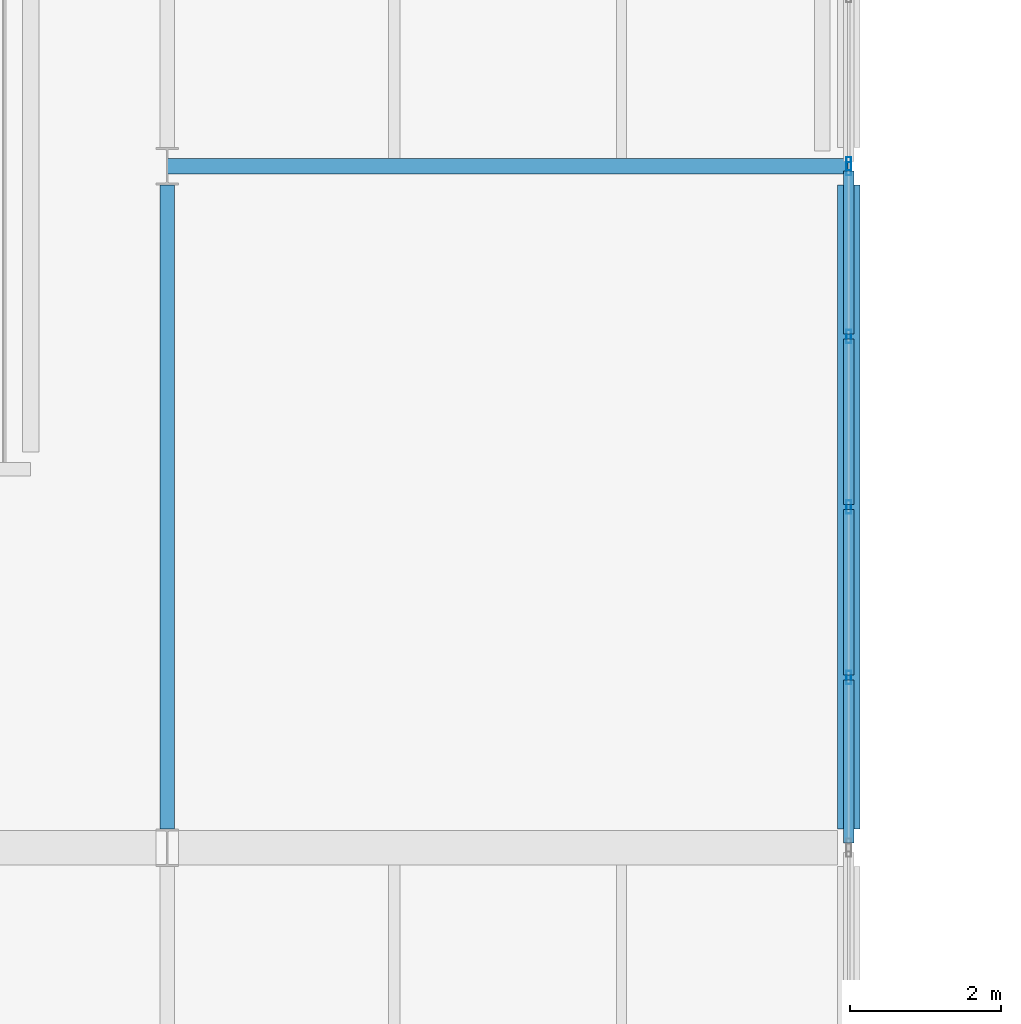
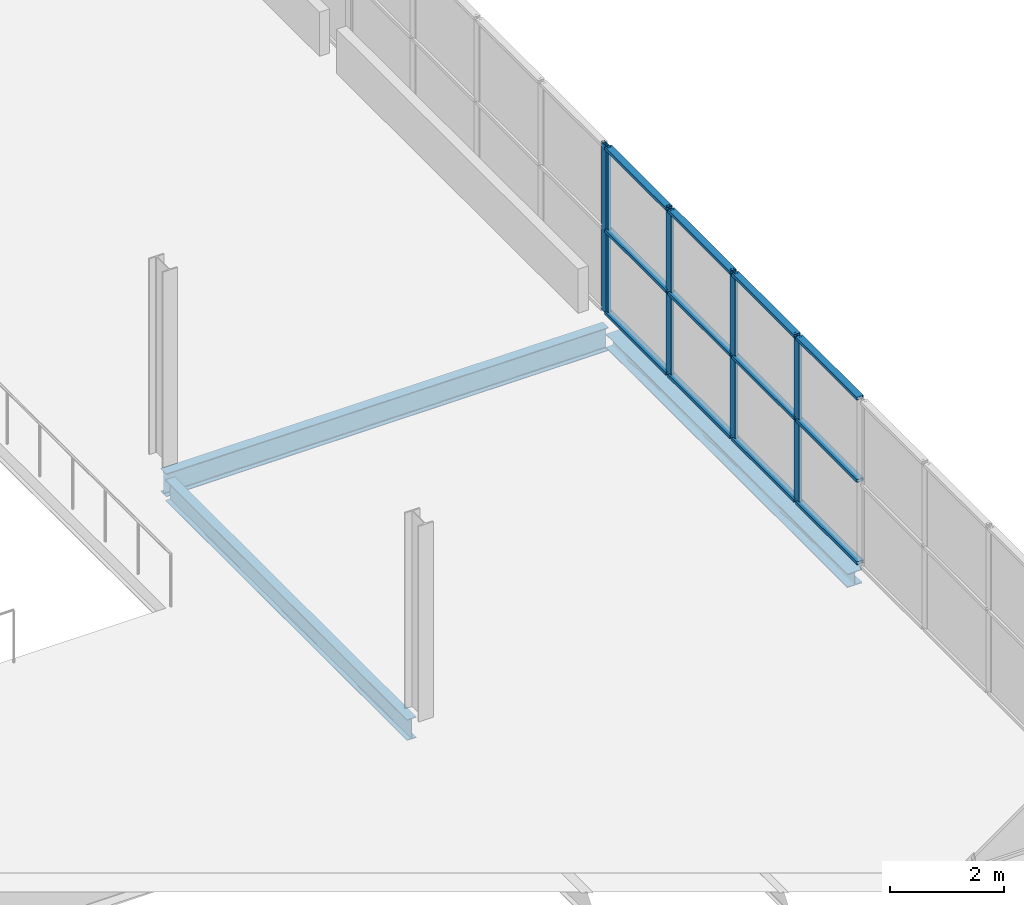
# One storey, part 24 of 88: 17 members, 3 beams, 2 elements without a shape of their own.
"""IFC4 building model written with IfcOpenShell, lengths in metres."""

from ifc_helpers import new_model, si_unit, direction, frame, origin, origin_2d, place, context, subcontext, project, spatial, hollow_rectangle, i_section, extrude, material, layer, layer_set, material_profile, profile_set, type_object, element, aggregate, save


model = new_model("IFC4")

# Units and contexts
model_context = context("Model", 3, precision=1e-05, world=origin(), true_north=direction((0.0, 1.0)))
body_context = subcontext(model_context, "Body", "Model", "MODEL_VIEW")
ifc_project = project(units=[si_unit("LENGTHUNIT", "METRE"), si_unit("AREAUNIT", "SQUARE_METRE"), si_unit("VOLUMEUNIT", "CUBIC_METRE"), si_unit("PLANEANGLEUNIT", "RADIAN"), si_unit("MASSUNIT", "GRAM", prefix="KILO")], contexts=[model_context])

# Site, building, storey
site_placement = place(None, origin())
site = spatial("IfcSite", under=ifc_project, at=site_placement, CompositionType="ELEMENT")
building_placement = place(site_placement, origin())
building = spatial("IfcBuilding", under=site, at=building_placement, Name="Deido Ridge Mobility Hub", CompositionType="ELEMENT")
storey_placement = place(building_placement, frame((0.0, 0.0, 16.800048828125)))
storey = spatial("IfcBuildingStorey", under=building, at=storey_placement, Name="L04", CompositionType="ELEMENT", Elevation=16.800048828125)

# Beams
ifc_material_1 = material(Name="Steel S355J2 EN 10025-2", Category="steel")
ifc_material_profile_1 = material_profile(ifc_material_1, i_section(OverallWidth=0.18994140625, OverallDepth=0.449951171875, WebThickness=0.009521484375, FlangeThickness=0.0146484375, FilletRadius=0.02099609375, at=origin_2d()), Name="IPE 450")
ifc_profile_set_1 = profile_set([ifc_material_profile_1], Name="Steel S355J2 EN 10025-2")
beam_type_1 = type_object("IfcBeamType", Name="BM-IPE450", PredefinedType="BEAM", material=ifc_profile_set_1)
beam_1_placement = place(storey_placement, frame((99.0, 45.25, -0.5), z_axis=(0.0, 1.0, 0.0), x_axis=(-1.0, 0.0, 0.0)))
element("IfcBeam", 1, at=beam_1_placement, inside=storey, type_object=beam_type_1, Name="Floor beam B4", PredefinedType="BEAM", context=body_context, shape_type="SweptSolid", body=[
    extrude(i_section(OverallWidth=0.18994140625, OverallDepth=0.449951171875, WebThickness=0.009521484375, FlangeThickness=0.0146484375, FilletRadius=0.02099609375, at=origin_2d()), origin(), (0.0, 0.0, 1.0), 8.5),
])
ifc_material_profile_2 = material_profile(ifc_material_1, i_section(OverallWidth=0.199951171875, OverallDepth=0.5, WebThickness=0.01025390625, FlangeThickness=0.01611328125, FilletRadius=0.02099609375, at=origin_2d()), Name="IPE 500")
ifc_profile_set_2 = profile_set([ifc_material_profile_2], Name="Steel S355J2 EN 10025-2")
beam_type_2 = type_object("IfcBeamType", Name="BM-IPE500", PredefinedType="BEAM", material=ifc_profile_set_2)
beam_2_placement = place(storey_placement, frame((99.007080078125, 54.0, -0.525146484375), z_axis=(1.0, 0.0, 0.0), x_axis=(0.0, 1.0, 0.0)))
element("IfcBeam", 2, at=beam_2_placement, inside=storey, type_object=beam_type_2, Name="Floor beam B3", PredefinedType="BEAM", context=body_context, shape_type="SweptSolid", body=[
    extrude(i_section(OverallWidth=0.199951171875, OverallDepth=0.5, WebThickness=0.01025390625, FlangeThickness=0.01611328125, FilletRadius=0.02099609375, at=origin_2d()), origin(), (0.0, 0.0, 1.0), 8.98583984375),
])

# Curtain wall, members
ifc_material_2 = material(Name="Anodised aluminium EN AW-6063 T6", Category="aluminium")
ifc_layer = layer(ifc_material_2, 0.2099609375, Name="Anodised aluminium EN AW-6063 T6")
ifc_layer_set = layer_set([ifc_layer], Name="Anodised aluminium EN AW-6063 T6")
curtain_wall_type = type_object("IfcCurtainWallType", Name="CW-UF-4", PredefinedType="USERDEFINED", material=ifc_layer_set)
curtain_wall_1_placement = place(storey_placement, origin())
curtain_wall_1 = element("IfcCurtainWall", 3, at=curtain_wall_1_placement, inside=storey, type_object=curtain_wall_type, Name="Unitised curtain wall CW4", ObjectType="UNITISED FACADE", PredefinedType="USERDEFINED")
ifc_material_profile_3 = material_profile(ifc_material_2, hollow_rectangle(XDim=0.06494140625, YDim=0.175048828125, WallThickness=0.00390625, at=origin_2d()), Name="RHS 65x175x4")
ifc_profile_set_3 = profile_set([ifc_material_profile_3], Name="Anodised aluminium EN AW-6063 T6")
member_type_1 = type_object("IfcMemberType", Name="MEM-MUL-65X175", PredefinedType="MULLION", material=ifc_profile_set_3)
member_1_placement = place(storey_placement, frame((108.0, 47.25, 0.0), z_axis=(0.0, 0.0, 1.0), x_axis=(-1.0, 0.0, 0.0)))
member_1 = element("IfcMember", 4, at=member_1_placement, type_object=member_type_1, Name="CW4 mullion 2", PredefinedType="MULLION", context=body_context, shape_type="SweptSolid", body=[
    extrude(hollow_rectangle(XDim=0.06494140625, YDim=0.175048828125, WallThickness=0.00390625, at=origin_2d()), origin(), (0.0, 0.0, 1.0), 3.599853515625),
])
member_2_placement = place(storey_placement, frame((108.0, 49.5, 0.0), z_axis=(0.0, 0.0, 1.0), x_axis=(-1.0, 0.0, 0.0)))
member_2 = element("IfcMember", 5, at=member_2_placement, type_object=member_type_1, Name="CW4 mullion 3", PredefinedType="MULLION", context=body_context, shape_type="SweptSolid", body=[
    extrude(hollow_rectangle(XDim=0.06494140625, YDim=0.175048828125, WallThickness=0.00390625, at=origin_2d()), origin(), (0.0, 0.0, 1.0), 3.599853515625),
])
member_3_placement = place(storey_placement, frame((108.0, 51.75, 0.0), z_axis=(0.0, 0.0, 1.0), x_axis=(-1.0, 0.0, 0.0)))
member_3 = element("IfcMember", 6, at=member_3_placement, type_object=member_type_1, Name="CW4 mullion 4", PredefinedType="MULLION", context=body_context, shape_type="SweptSolid", body=[
    extrude(hollow_rectangle(XDim=0.06494140625, YDim=0.175048828125, WallThickness=0.00390625, at=origin_2d()), origin(), (0.0, 0.0, 1.0), 3.599853515625),
])
member_4_placement = place(storey_placement, frame((108.0, 53.967529296875, 0.0), z_axis=(0.0, 0.0, 1.0), x_axis=(-1.0, 0.0, 0.0)))
member_4 = element("IfcMember", 7, at=member_4_placement, type_object=member_type_1, Name="CW4 mullion 5", PredefinedType="MULLION", context=body_context, shape_type="SweptSolid", body=[
    extrude(hollow_rectangle(XDim=0.06494140625, YDim=0.175048828125, WallThickness=0.00390625, at=origin_2d()), origin(), (0.0, 0.0, 1.0), 3.599853515625),
])

# Curtain wall, member
curtain_wall_2_placement = place(storey_placement, origin())
curtain_wall_2 = element("IfcCurtainWall", 8, at=curtain_wall_2_placement, inside=storey, type_object=curtain_wall_type, Name="Unitised curtain wall CW4", ObjectType="UNITISED FACADE", PredefinedType="USERDEFINED")
member_5_placement = place(storey_placement, frame((108.0, 54.032470703125, 0.0), z_axis=(0.0, 0.0, 1.0), x_axis=(-1.0, 0.0, 0.0)))
member_5 = element("IfcMember", 9, at=member_5_placement, type_object=member_type_1, Name="CW4 mullion 1", PredefinedType="MULLION", context=body_context, shape_type="SweptSolid", body=[
    extrude(hollow_rectangle(XDim=0.06494140625, YDim=0.175048828125, WallThickness=0.00390625, at=origin_2d()), origin(), (0.0, 0.0, 1.0), 3.599853515625),
])
aggregate(curtain_wall_2, [member_5])

# Member
ifc_material_profile_4 = material_profile(ifc_material_2, hollow_rectangle(XDim=0.135009765625, YDim=0.06494140625, WallThickness=0.00390625, at=origin_2d()), Name="RHS 135x65x4")
ifc_profile_set_4 = profile_set([ifc_material_profile_4], Name="Anodised aluminium EN AW-6063 T6")
member_type_2 = type_object("IfcMemberType", Name="MEM-TRN-135X65", PredefinedType="USERDEFINED", material=ifc_profile_set_4)
member_6_placement = place(storey_placement, frame((108.0, 45.06494140625, 0.032470703125), z_axis=(0.0, 1.0, 0.0), x_axis=(-1.0, 0.0, 0.0)))
member_6 = element("IfcMember", 10, at=member_6_placement, type_object=member_type_2, Name="CW4 transom 1.1", ObjectType="TRANSOM", PredefinedType="USERDEFINED", context=body_context, shape_type="SweptSolid", body=[
    extrude(hollow_rectangle(XDim=0.135009765625, YDim=0.06494140625, WallThickness=0.00390625, at=origin_2d()), origin(), (0.0, 0.0, 1.0), 2.152587890625),
])

member_7_placement = place(storey_placement, frame((108.0, 45.06494140625, 1.800048828125), z_axis=(0.0, 1.0, 0.0), x_axis=(-1.0, 0.0, 0.0)))
member_7 = element("IfcMember", 11, at=member_7_placement, type_object=member_type_2, Name="CW4 transom 1.2", ObjectType="TRANSOM", PredefinedType="USERDEFINED", context=body_context, shape_type="SweptSolid", body=[
    extrude(hollow_rectangle(XDim=0.135009765625, YDim=0.06494140625, WallThickness=0.00390625, at=origin_2d()), origin(), (0.0, 0.0, 1.0), 2.152587890625),
])

member_8_placement = place(storey_placement, frame((108.0, 45.06494140625, 3.5673828125), z_axis=(0.0, 1.0, 0.0), x_axis=(-1.0, 0.0, 0.0)))
member_8 = element("IfcMember", 12, at=member_8_placement, type_object=member_type_2, Name="CW4 transom 1.3", ObjectType="TRANSOM", PredefinedType="USERDEFINED", context=body_context, shape_type="SweptSolid", body=[
    extrude(hollow_rectangle(XDim=0.135009765625, YDim=0.06494140625, WallThickness=0.00390625, at=origin_2d()), origin(), (0.0, 0.0, 1.0), 2.152587890625),
])

member_9_placement = place(storey_placement, frame((108.0, 47.282470703125, 0.032470703125), z_axis=(0.0, 1.0, 0.0), x_axis=(-1.0, 0.0, 0.0)))
member_9 = element("IfcMember", 13, at=member_9_placement, type_object=member_type_2, Name="CW4 transom 2.1", ObjectType="TRANSOM", PredefinedType="USERDEFINED", context=body_context, shape_type="SweptSolid", body=[
    extrude(hollow_rectangle(XDim=0.135009765625, YDim=0.06494140625, WallThickness=0.00390625, at=origin_2d()), origin(), (0.0, 0.0, 1.0), 2.18505859375),
])

member_10_placement = place(storey_placement, frame((108.0, 47.282470703125, 1.800048828125), z_axis=(0.0, 1.0, 0.0), x_axis=(-1.0, 0.0, 0.0)))
member_10 = element("IfcMember", 14, at=member_10_placement, type_object=member_type_2, Name="CW4 transom 2.2", ObjectType="TRANSOM", PredefinedType="USERDEFINED", context=body_context, shape_type="SweptSolid", body=[
    extrude(hollow_rectangle(XDim=0.135009765625, YDim=0.06494140625, WallThickness=0.00390625, at=origin_2d()), origin(), (0.0, 0.0, 1.0), 2.18505859375),
])

member_11_placement = place(storey_placement, frame((108.0, 47.282470703125, 3.5673828125), z_axis=(0.0, 1.0, 0.0), x_axis=(-1.0, 0.0, 0.0)))
member_11 = element("IfcMember", 15, at=member_11_placement, type_object=member_type_2, Name="CW4 transom 2.3", ObjectType="TRANSOM", PredefinedType="USERDEFINED", context=body_context, shape_type="SweptSolid", body=[
    extrude(hollow_rectangle(XDim=0.135009765625, YDim=0.06494140625, WallThickness=0.00390625, at=origin_2d()), origin(), (0.0, 0.0, 1.0), 2.18505859375),
])

member_12_placement = place(storey_placement, frame((108.0, 49.532470703125, 0.032470703125), z_axis=(0.0, 1.0, 0.0), x_axis=(-1.0, 0.0, 0.0)))
member_12 = element("IfcMember", 16, at=member_12_placement, type_object=member_type_2, Name="CW4 transom 3.1", ObjectType="TRANSOM", PredefinedType="USERDEFINED", context=body_context, shape_type="SweptSolid", body=[
    extrude(hollow_rectangle(XDim=0.135009765625, YDim=0.06494140625, WallThickness=0.00390625, at=origin_2d()), origin(), (0.0, 0.0, 1.0), 2.18505859375),
])

member_13_placement = place(storey_placement, frame((108.0, 49.532470703125, 1.800048828125), z_axis=(0.0, 1.0, 0.0), x_axis=(-1.0, 0.0, 0.0)))
member_13 = element("IfcMember", 17, at=member_13_placement, type_object=member_type_2, Name="CW4 transom 3.2", ObjectType="TRANSOM", PredefinedType="USERDEFINED", context=body_context, shape_type="SweptSolid", body=[
    extrude(hollow_rectangle(XDim=0.135009765625, YDim=0.06494140625, WallThickness=0.00390625, at=origin_2d()), origin(), (0.0, 0.0, 1.0), 2.18505859375),
])

member_14_placement = place(storey_placement, frame((108.0, 49.532470703125, 3.5673828125), z_axis=(0.0, 1.0, 0.0), x_axis=(-1.0, 0.0, 0.0)))
member_14 = element("IfcMember", 18, at=member_14_placement, type_object=member_type_2, Name="CW4 transom 3.3", ObjectType="TRANSOM", PredefinedType="USERDEFINED", context=body_context, shape_type="SweptSolid", body=[
    extrude(hollow_rectangle(XDim=0.135009765625, YDim=0.06494140625, WallThickness=0.00390625, at=origin_2d()), origin(), (0.0, 0.0, 1.0), 2.18505859375),
])

member_15_placement = place(storey_placement, frame((108.0, 51.782470703125, 0.032470703125), z_axis=(0.0, 1.0, 0.0), x_axis=(-1.0, 0.0, 0.0)))
member_15 = element("IfcMember", 19, at=member_15_placement, type_object=member_type_2, Name="CW4 transom 4.1", ObjectType="TRANSOM", PredefinedType="USERDEFINED", context=body_context, shape_type="SweptSolid", body=[
    extrude(hollow_rectangle(XDim=0.135009765625, YDim=0.06494140625, WallThickness=0.00390625, at=origin_2d()), origin(), (0.0, 0.0, 1.0), 2.152587890625),
])

member_16_placement = place(storey_placement, frame((108.0, 51.782470703125, 1.800048828125), z_axis=(0.0, 1.0, 0.0), x_axis=(-1.0, 0.0, 0.0)))
member_16 = element("IfcMember", 20, at=member_16_placement, type_object=member_type_2, Name="CW4 transom 4.2", ObjectType="TRANSOM", PredefinedType="USERDEFINED", context=body_context, shape_type="SweptSolid", body=[
    extrude(hollow_rectangle(XDim=0.135009765625, YDim=0.06494140625, WallThickness=0.00390625, at=origin_2d()), origin(), (0.0, 0.0, 1.0), 2.152587890625),
])

member_17_placement = place(storey_placement, frame((108.0, 51.782470703125, 3.5673828125), z_axis=(0.0, 1.0, 0.0), x_axis=(-1.0, 0.0, 0.0)))
member_17 = element("IfcMember", 21, at=member_17_placement, type_object=member_type_2, Name="CW4 transom 4.3", ObjectType="TRANSOM", PredefinedType="USERDEFINED", context=body_context, shape_type="SweptSolid", body=[
    extrude(hollow_rectangle(XDim=0.135009765625, YDim=0.06494140625, WallThickness=0.00390625, at=origin_2d()), origin(), (0.0, 0.0, 1.0), 2.152587890625),
])

aggregate(curtain_wall_1, [member_1, member_2, member_3, member_4, member_6, member_7, member_8, member_9, member_10, member_11, member_12, member_13, member_14, member_15, member_16, member_17])

# Beam
ifc_material_profile_5 = material_profile(ifc_material_1, i_section(OverallWidth=0.300048828125, OverallDepth=0.300048828125, WebThickness=0.010986328125, FlangeThickness=0.01904296875, FilletRadius=0.027099609375, at=origin_2d()), Name="HEB 300")
ifc_profile_set_5 = profile_set([ifc_material_profile_5], Name="Steel S355J2 EN 10025-2")
beam_type_3 = type_object("IfcBeamType", Name="SPD-HEB300", PredefinedType="SPANDREL", material=ifc_profile_set_5)
beam_3_placement = place(storey_placement, frame((108.0, 45.25, -0.425048828125), z_axis=(0.0, 1.0, 0.0), x_axis=(-1.0, 0.0, 0.0)))
element("IfcBeam", 22, at=beam_3_placement, inside=storey, type_object=beam_type_3, Name="Floor beam SP1", PredefinedType="SPANDREL", context=body_context, shape_type="SweptSolid", body=[
    extrude(i_section(OverallWidth=0.300048828125, OverallDepth=0.300048828125, WebThickness=0.010986328125, FlangeThickness=0.01904296875, FilletRadius=0.027099609375, at=origin_2d()), origin(), (0.0, 0.0, 1.0), 8.5),
])

save(model, "model.ifc")
